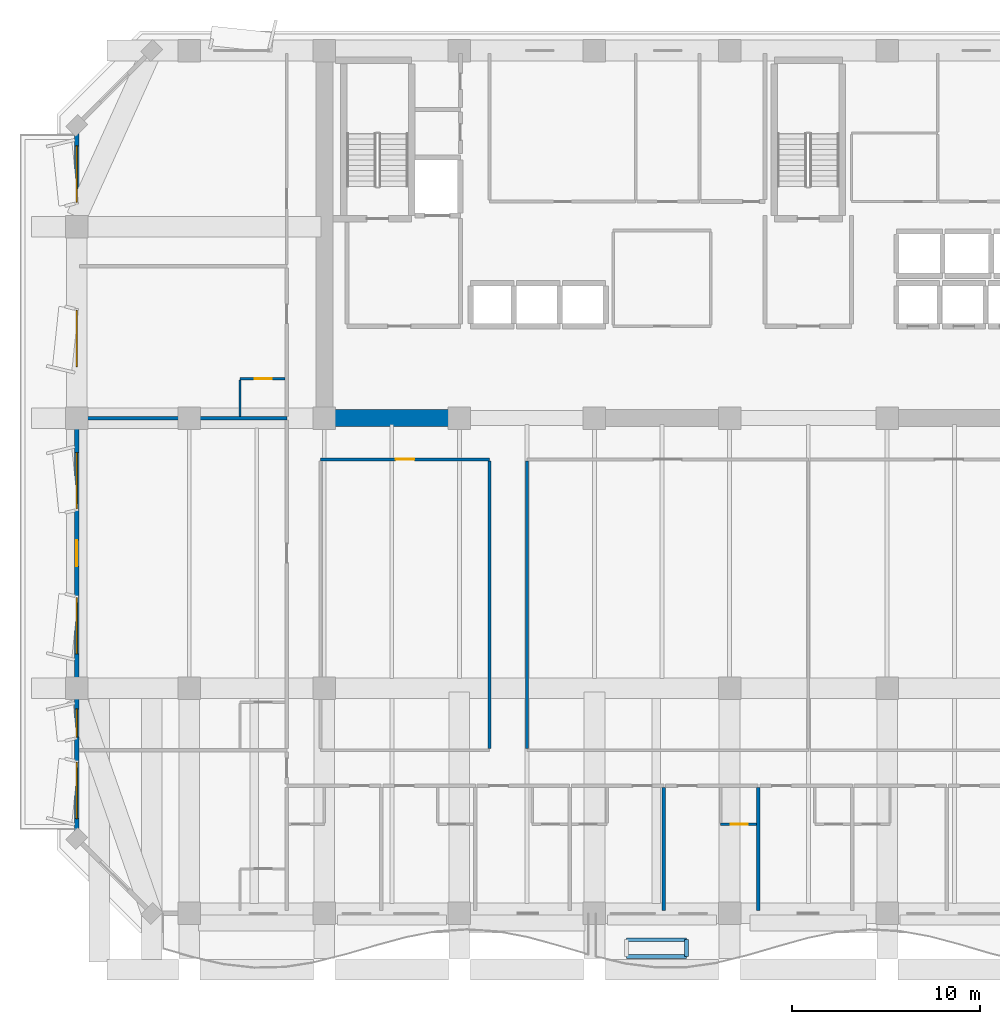
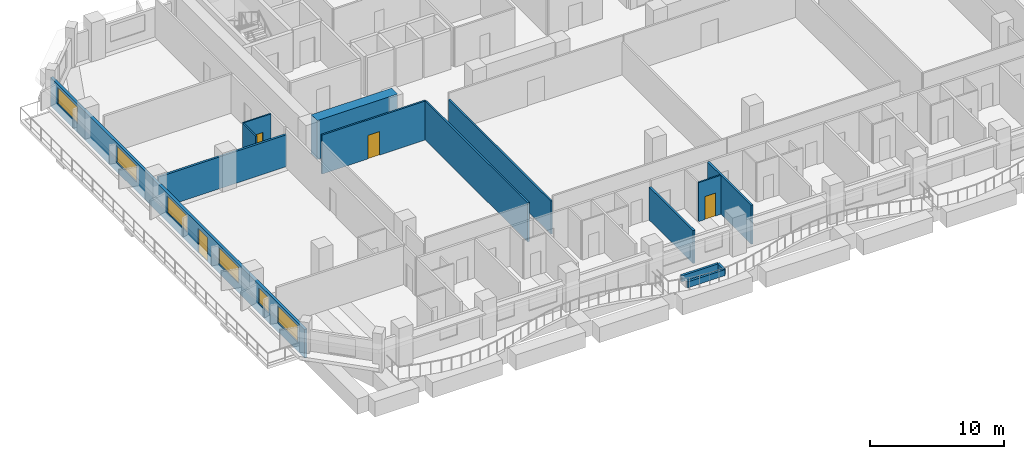
# One storey, part 5 of 16: 14 walls, 6 windows, 4 doors, 10 openings.
"""IFC4 building model written with IfcOpenShell, lengths in metres."""

import ifcopenshell
import ifcopenshell.guid

model = None  # the IFC model being written
_history = None  # IfcOwnerHistory: only IFC2X3 demands one
_inside = {}  # id of a spatial element -> (the spatial element, [elements in it])
_under = {}  # id of a project, library or spatial element -> (it, [spatial elements below it])
_declared = {}  # id of a project -> (the project, [libraries it declares])
_typed = {}  # id of a type object -> (the type object, [elements of that type])
_made_of = {}  # id of a material, layer set ... -> (it, [elements and type objects made of it])


def new_model(schema):
    """Start an empty IFC model of exactly this schema.

    Asked for "IFC4X3", IfcOpenShell would pick the latest addendum, in which some entities
    have other attributes; the version numbers below select the first issue.
    IFC2X3 requires an IfcOwnerHistory on every rooted entity: one is made here for all.
    """
    global model, _history
    if schema == "IFC4X3":
        model = ifcopenshell.file(schema_version=(4, 3, 0, 0))
    else:
        model = ifcopenshell.file(schema=schema)
    _inside.clear()
    _under.clear()
    _declared.clear()
    _typed.clear()
    _made_of.clear()
    _history = None
    if model.schema == "IFC2X3":
        org = make("IfcOrganization", Name="unknown")
        user = make(
            "IfcPersonAndOrganization",
            ThePerson=make("IfcPerson", FamilyName="unknown"),
            TheOrganization=org,
        )
        app = make(
            "IfcApplication",
            ApplicationDeveloper=org,
            Version="unknown",
            ApplicationFullName="unknown",
            ApplicationIdentifier="unknown",
        )
        _history = make(
            "IfcOwnerHistory",
            OwningUser=user,
            OwningApplication=app,
            ChangeAction="ADDED",
            CreationDate=0,
        )
    return model


def make(cls, **values):
    """One entity of the class cls with the attributes given. An attribute that is None is left unset."""
    return model.create_entity(
        cls, **{name: value for name, value in values.items() if value is not None}
    )


def rooted(cls, **values):
    """An entity with a GlobalId (a new one), such as an element, a storey or a relation."""
    return make(cls, GlobalId=ifcopenshell.guid.new(), OwnerHistory=_history, **values)


def si_unit(unit_type, name, prefix=None):
    """IfcSIUnit, for example si_unit("LENGTHUNIT", "METRE", prefix="MILLI")."""
    return make("IfcSIUnit", UnitType=unit_type, Prefix=prefix, Name=name)


def assignment(units):
    """IfcUnitAssignment: the units of a project."""
    return None if units is None else make("IfcUnitAssignment", Units=units)


def point(xyz):
    """IfcCartesianPoint."""
    return None if xyz is None else make("IfcCartesianPoint", Coordinates=xyz)


def direction(xyz):
    """IfcDirection."""
    return None if xyz is None else make("IfcDirection", DirectionRatios=xyz)


def frame(location, z_axis=None, x_axis=None):
    """IfcAxis2Placement3D, a coordinate frame: its origin and axes. An axis left out is left unset."""
    return make(
        "IfcAxis2Placement3D",
        Location=point(location),
        Axis=direction(z_axis),
        RefDirection=direction(x_axis),
    )


def frame_2d(location, x_axis=None):
    """IfcAxis2Placement2D, a coordinate frame in the plane: its origin and x axis."""
    return make(
        "IfcAxis2Placement2D", Location=point(location), RefDirection=direction(x_axis)
    )


def origin():
    """The frame at (0, 0, 0) with its axes left unset."""
    return frame((0.0, 0.0, 0.0))


def place(relative_to, where):
    """IfcLocalPlacement: puts the frame where relative to a parent placement (None: the world)."""
    return make(
        "IfcLocalPlacement", PlacementRelTo=relative_to, RelativePlacement=where
    )


def context(
    kind, dimensions, precision=None, world=None, true_north=None, identifier=None
):
    """IfcGeometricRepresentationContext, for example the 3D "Model" context."""
    return make(
        "IfcGeometricRepresentationContext",
        ContextIdentifier=identifier,
        ContextType=kind,
        CoordinateSpaceDimension=dimensions,
        Precision=precision,
        WorldCoordinateSystem=world,
        TrueNorth=true_north,
    )


def subcontext(parent, identifier, kind, view, scale=None):
    """IfcGeometricRepresentationSubContext, for example "Body" below "Model"."""
    return make(
        "IfcGeometricRepresentationSubContext",
        ContextIdentifier=identifier,
        ContextType=kind,
        ParentContext=parent,
        TargetScale=scale,
        TargetView=view,
    )


def project(units=None, contexts=None):
    """IfcProject with its units and contexts."""
    return rooted(
        "IfcProject",
        Name="project",
        RepresentationContexts=contexts,
        UnitsInContext=assignment(units),
    )


def spatial(cls, under=None, at=None, **own):
    """A site, building, storey or space (cls), placed at a placement, below another one or the project."""
    s = rooted(cls, ObjectPlacement=at, **own)
    if under is not None:
        _under.setdefault(under.id(), (under, []))[1].append(s)
    return s


def profile(cls, at=None, kind="AREA", **sizes):
    """A parametric profile (cls). Its sizes go by their IFC names, for example OverallWidth=200.0."""
    return make(cls, ProfileType=kind, Position=at, **sizes)


def rectangle(**sizes):
    """IfcRectangleProfileDef."""
    return profile("IfcRectangleProfileDef", **sizes)


def extrude(swept, where, along, depth):
    """IfcExtrudedAreaSolid: the profile swept, set in the frame where, extruded along a direction by depth."""
    return make(
        "IfcExtrudedAreaSolid",
        SweptArea=swept,
        Position=where,
        ExtrudedDirection=direction(along),
        Depth=depth,
    )


def shape(context_of_items, identifier, shape_type, items):
    """IfcShapeRepresentation: the items that make up one representation, for example the "Body"."""
    return make(
        "IfcShapeRepresentation",
        ContextOfItems=context_of_items,
        RepresentationIdentifier=identifier,
        RepresentationType=shape_type,
        Items=items,
    )


def material(Name=None, Category=None):
    """IfcMaterial."""
    return make("IfcMaterial", Name=Name, Category=Category)


def layer(
    of_material, thickness, ventilated=None, Name=None, Category=None, Priority=None
):
    """IfcMaterialLayer: one layer of a wall or slab, of a material (None: an air gap)."""
    return make(
        "IfcMaterialLayer",
        Material=of_material,
        LayerThickness=thickness,
        IsVentilated=ventilated,
        Name=Name,
        Category=Category,
        Priority=Priority,
    )


def layer_set(layers, Name=None):
    """IfcMaterialLayerSet."""
    return make("IfcMaterialLayerSet", MaterialLayers=layers, LayerSetName=Name)


def made_of(thing, what):
    """Note that an element or type object is made of a material, layer set ...; save() writes the relation."""
    if what is not None:
        _made_of.setdefault(what.id(), (what, []))[1].append(thing)
    return thing


def type_object(cls, material=None, **own):
    """A type object (cls), such as IfcWallType, which elements share."""
    return made_of(rooted(cls, **own), material)


def element(
    cls,
    number,
    at=None,
    inside=None,
    cuts=None,
    type_object=None,
    material=None,
    context=None,
    identifier="Body",
    shape_type=None,
    held_by="IfcProductDefinitionShape",
    body=None,
    shapes=None,
    **own,
):
    """One element of the class cls, such as IfcWall. Its Tag is "e" and its number.

    at: its placement. inside: the storey or other place that contains it. cuts: it is an
    opening in that element (IfcRelVoidsElement). A single representation is given by context,
    identifier, shape_type and body (its items); several are given by shapes. held_by: the class
    of the entity that holds the representations. save() writes the other relations.
    """
    e = rooted(cls, Tag="e%d" % number, ObjectPlacement=at, **own)
    if body is not None:
        shapes = [shape(context, identifier, shape_type, body)]
    if shapes is not None:
        e.Representation = make(held_by, Representations=shapes)
    if inside is not None:
        _inside.setdefault(inside.id(), (inside, []))[1].append(e)
    if cuts is not None:
        rooted(
            "IfcRelVoidsElement", RelatingBuildingElement=cuts, RelatedOpeningElement=e
        )
    if type_object is not None:
        _typed.setdefault(type_object.id(), (type_object, []))[1].append(e)
    return made_of(e, material)


def fill(opening, filler):
    """IfcRelFillsElement: the door or window that sits in an opening."""
    return rooted(
        "IfcRelFillsElement",
        RelatingOpeningElement=opening,
        RelatedBuildingElement=filler,
    )


def aggregate(whole, parts):
    """IfcRelAggregates: a whole, such as a stair, and the parts it consists of."""
    return rooted("IfcRelAggregates", RelatingObject=whole, RelatedObjects=parts)


def save(model, path):
    """Write the relations noted so far, then the file.

    IfcRelAggregates (storeys below a building ...), IfcRelContainedInSpatialStructure (elements
    in a storey), IfcRelDefinesByType, IfcRelAssociatesMaterial and IfcRelDeclares: one each for
    every whole, place, type object, material and project.
    """
    for whole, parts in _under.values():
        aggregate(whole, parts)
    for where, things in _inside.values():
        rooted(
            "IfcRelContainedInSpatialStructure",
            RelatedElements=things,
            RelatingStructure=where,
        )
    for kind, things in _typed.values():
        rooted("IfcRelDefinesByType", RelatedObjects=things, RelatingType=kind)
    for what, things in _made_of.values():
        rooted("IfcRelAssociatesMaterial", RelatedObjects=things, RelatingMaterial=what)
    for by, libraries in _declared.values():
        rooted("IfcRelDeclares", RelatingContext=by, RelatedDefinitions=libraries)
    model.write(path)


model = new_model("IFC4")

# Units and contexts
model_context = context("Model", 3, precision=1e-05, world=origin(), true_north=direction((0.0, 1.0)))
body_context = subcontext(model_context, "Body", "Model", "MODEL_VIEW")
ifc_project = project(units=[si_unit("LENGTHUNIT", "METRE"), si_unit("AREAUNIT", "SQUARE_METRE"), si_unit("VOLUMEUNIT", "CUBIC_METRE"), si_unit("PLANEANGLEUNIT", "RADIAN"), si_unit("MASSUNIT", "GRAM", prefix="KILO")], contexts=[model_context])

# Site, building, storey
site_placement = place(None, origin())
site = spatial("IfcSite", under=ifc_project, at=site_placement, CompositionType="ELEMENT")
building_placement = place(site_placement, origin())
building = spatial("IfcBuilding", under=site, at=building_placement, Name="Kaelvorn Grand Hotel", CompositionType="ELEMENT")
storey_placement = place(building_placement, frame((0.0, 0.0, 135.35009765625)))
storey = spatial("IfcBuildingStorey", under=building, at=storey_placement, Name="L32", CompositionType="ELEMENT", Elevation=135.35009765625)

# Wall
ifc_material_1 = material(Name="Concrete C60/75", Category="concrete")
ifc_layer_1 = layer(ifc_material_1, 0.89990234375)
ifc_layer_set_1 = layer_set([ifc_layer_1], Name="Concrete C60/75")
wall_type_1 = type_object("IfcWallType", Name="WL-CORE-900-C60", PredefinedType="SHEAR", material=ifc_layer_set_1)
wall_1_placement = place(storey_placement, frame((16.655029296875, 29.39990234375, 0.0), z_axis=(0.0, 0.0, 1.0), x_axis=(1.0, 0.0, 0.0)))
element("IfcWall", 1, at=wall_1_placement, inside=storey, type_object=wall_type_1, Name="L32 Rear-Core Coupled Shear Pier S1", PredefinedType="SHEAR", context=body_context, shape_type="SweptSolid", body=[
    extrude(rectangle(XDim=6.945068359375, YDim=0.89990234375, at=frame_2d((3.47265625, 0.0))), origin(), (0.0, 0.0, 1.0), 3.559814453125),
])

# Wall, openings, door, windows
ifc_material_2 = material(Name="Concrete C40/50", Category="concrete")
ifc_layer_2 = layer(ifc_material_2, 0.239990234375)
ifc_layer_set_2 = layer_set([ifc_layer_2], Name="Concrete C40/50")
wall_type_2 = type_object("IfcWallType", Name="WL-EXT-240-C40", PredefinedType="SOLIDWALL", material=ifc_layer_set_2)
wall_2_placement = place(storey_placement, frame((3.0, 45.0, 0.0), z_axis=(0.0, 0.0, 1.0), x_axis=(0.0, -1.0, 0.0)))
wall_2 = element("IfcWall", 2, at=wall_2_placement, inside=storey, type_object=wall_type_2, Name="L32 Exterior Architectural Concrete Wall 07", PredefinedType="SOLIDWALL", context=body_context, shape_type="SweptSolid", body=[
    extrude(rectangle(XDim=38.0, YDim=0.239990234375, at=frame_2d((19.0, 0.0))), origin(), (0.0, 0.0, 1.0), 2.60986328125),
])
opening_1_placement = place(wall_2_placement, frame((22.10009765625, 0.0, 0.0)))
opening_1 = element("IfcOpeningElement", 3, at=opening_1_placement, cuts=wall_2, Name="Opening DE3", PredefinedType="OPENING", context=body_context, shape_type="SweptSolid", body=[
    extrude(rectangle(XDim=1.39990234375, YDim=2.199951171875, at=frame_2d((0.699951171875, 1.10009765625))), frame((0.0, 0.1298828125, 0.0), z_axis=(0.0, -1.0, 0.0), x_axis=(1.0, 0.0, 0.0)), (0.0, 0.0, 1.0), 0.260009765625),
])
opening_2_placement = place(wall_2_placement, frame((33.949951171875, 0.0, 0.85009765625)))
opening_2 = element("IfcOpeningElement", 4, at=opening_2_placement, cuts=wall_2, Name="Opening W5", PredefinedType="OPENING", context=body_context, shape_type="SweptSolid", body=[
    extrude(rectangle(XDim=3.0, YDim=1.5, at=frame_2d((1.5, 0.75))), frame((0.0, 0.1298828125, 0.0), z_axis=(0.0, -1.0, 0.0), x_axis=(1.0, 0.0, 0.0)), (0.0, 0.0, 1.0), 0.260009765625),
])
opening_3_placement = place(wall_2_placement, frame((31.10009765625, 0.0, 0.85009765625)))
opening_3 = element("IfcOpeningElement", 5, at=opening_3_placement, cuts=wall_2, Name="Opening W10", PredefinedType="OPENING", context=body_context, shape_type="SweptSolid", body=[
    extrude(rectangle(XDim=1.5, YDim=1.39990234375, at=frame_2d((0.75, 0.699951171875))), frame((0.0, 0.1298828125, 0.0), z_axis=(0.0, -1.0, 0.0), x_axis=(1.0, 0.0, 0.0)), (0.0, 0.0, 1.0), 0.260009765625),
])
opening_4_placement = place(wall_2_placement, frame((25.159912109375, 0.0, 0.85009765625)))
opening_4 = element("IfcOpeningElement", 6, at=opening_4_placement, cuts=wall_2, Name="Opening W5", PredefinedType="OPENING", context=body_context, shape_type="SweptSolid", body=[
    extrude(rectangle(XDim=3.0, YDim=1.5, at=frame_2d((1.5, 0.75))), frame((0.0, 0.1298828125, 0.0), z_axis=(0.0, -1.0, 0.0), x_axis=(1.0, 0.0, 0.0)), (0.0, 0.0, 1.0), 0.260009765625),
])
opening_5_placement = place(wall_2_placement, frame((17.43994140625, 0.0, 0.85009765625)))
opening_5 = element("IfcOpeningElement", 7, at=opening_5_placement, cuts=wall_2, Name="Opening W5", PredefinedType="OPENING", context=body_context, shape_type="SweptSolid", body=[
    extrude(rectangle(XDim=3.0, YDim=1.5, at=frame_2d((1.5, 0.75))), frame((0.0, 0.1298828125, 0.0), z_axis=(0.0, -1.0, 0.0), x_axis=(1.0, 0.0, 0.0)), (0.0, 0.0, 1.0), 0.260009765625),
])
opening_6_placement = place(wall_2_placement, frame((9.85009765625, 0.0, 0.85009765625)))
opening_6 = element("IfcOpeningElement", 8, at=opening_6_placement, cuts=wall_2, Name="Opening W5", PredefinedType="OPENING", context=body_context, shape_type="SweptSolid", body=[
    extrude(rectangle(XDim=3.0, YDim=1.5, at=frame_2d((1.5, 0.75))), frame((0.0, 0.1298828125, 0.0), z_axis=(0.0, -1.0, 0.0), x_axis=(1.0, 0.0, 0.0)), (0.0, 0.0, 1.0), 0.260009765625),
])
opening_7_placement = place(wall_2_placement, frame((1.0849609375, 0.0, 0.85009765625)))
opening_7 = element("IfcOpeningElement", 9, at=opening_7_placement, cuts=wall_2, Name="Opening W5", PredefinedType="OPENING", context=body_context, shape_type="SweptSolid", body=[
    extrude(rectangle(XDim=3.0, YDim=1.5, at=frame_2d((1.5, 0.75))), frame((0.0, 0.1298828125, 0.0), z_axis=(0.0, -1.0, 0.0), x_axis=(1.0, 0.0, 0.0)), (0.0, 0.0, 1.0), 0.260009765625),
])
ifc_material_3 = material(Name="Anodised Aluminium", Category="aluminium")
door_type_1 = type_object("IfcDoorType", Name="DR-EXT-TERR-1400x2200", OperationType="NOTDEFINED", PredefinedType="DOOR", material=ifc_material_3)
door_1_placement = place(opening_1_placement, origin())
door_1 = element("IfcDoor", 10, at=door_1_placement, inside=storey, type_object=door_type_1, Name="L32 West Setback Terrace Step-Free Door DE3-W", OperationType="SINGLE_SWING_LEFT", OverallHeight=2.199951171875, OverallWidth=1.39990234375, PredefinedType="DOOR", context=body_context, shape_type="SweptSolid", body=[
    extrude(rectangle(XDim=1.39990234375, YDim=2.199951171875, at=frame_2d((0.699951171875, 1.10009765625))), frame((0.0, 0.02490234375, 0.0), z_axis=(0.0, -1.0, 0.0), x_axis=(1.0, 0.0, 0.0)), (0.0, 0.0, 1.0), 0.050048828125),
])
fill(opening_1, door_1)
ifc_material_4 = material(Name="Laminated Low-E Glass", Category="glass")
window_type_1 = type_object("IfcWindowType", Name="WIN-COR-1500x1400", PartitioningType="SINGLE_PANEL", PredefinedType="WINDOW", material=ifc_material_4)
window_1_placement = place(opening_3_placement, origin())
window_1 = element("IfcWindow", 11, at=window_1_placement, inside=storey, type_object=window_type_1, Name="L32 W Wing Tilted-Frame Ribbon Window W02", OverallHeight=1.39990234375, OverallWidth=1.5, PartitioningType="SINGLE_PANEL", PredefinedType="WINDOW", context=body_context, shape_type="SweptSolid", body=[
    extrude(rectangle(XDim=1.5, YDim=1.39990234375, at=frame_2d((0.75, 0.699951171875))), frame((0.0, 0.030029296875, 0.0), z_axis=(0.0, -1.0, 0.0), x_axis=(1.0, 0.0, 0.0)), (0.0, 0.0, 1.0), 0.06005859375),
])
fill(opening_3, window_1)
window_type_2 = type_object("IfcWindowType", Name="WIN-NTH-3000x1500", PartitioningType="SINGLE_PANEL", PredefinedType="WINDOW", material=ifc_material_4)
window_2_placement = place(opening_2_placement, origin())
window_2 = element("IfcWindow", 12, at=window_2_placement, inside=storey, type_object=window_type_2, Name="L32 W Wing Tilted-Frame Ribbon Window W01", OverallHeight=1.5, OverallWidth=3.0, PartitioningType="SINGLE_PANEL", PredefinedType="WINDOW", context=body_context, shape_type="SweptSolid", body=[
    extrude(rectangle(XDim=3.0, YDim=1.5, at=frame_2d((1.5, 0.75))), frame((0.0, 0.030029296875, 0.0), z_axis=(0.0, -1.0, 0.0), x_axis=(1.0, 0.0, 0.0)), (0.0, 0.0, 1.0), 0.06005859375),
])
fill(opening_2, window_2)
window_3_placement = place(opening_4_placement, origin())
window_3 = element("IfcWindow", 13, at=window_3_placement, inside=storey, type_object=window_type_2, Name="L32 W Wing Tilted-Frame Ribbon Window W03", OverallHeight=1.5, OverallWidth=3.0, PartitioningType="SINGLE_PANEL", PredefinedType="WINDOW", context=body_context, shape_type="SweptSolid", body=[
    extrude(rectangle(XDim=3.0, YDim=1.5, at=frame_2d((1.5, 0.75))), frame((0.0, 0.030029296875, 0.0), z_axis=(0.0, -1.0, 0.0), x_axis=(1.0, 0.0, 0.0)), (0.0, 0.0, 1.0), 0.06005859375),
])
fill(opening_4, window_3)
window_4_placement = place(opening_5_placement, origin())
window_4 = element("IfcWindow", 14, at=window_4_placement, inside=storey, type_object=window_type_2, Name="L32 W Wing Tilted-Frame Ribbon Window W04", OverallHeight=1.5, OverallWidth=3.0, PartitioningType="SINGLE_PANEL", PredefinedType="WINDOW", context=body_context, shape_type="SweptSolid", body=[
    extrude(rectangle(XDim=3.0, YDim=1.5, at=frame_2d((1.5, 0.75))), frame((0.0, 0.030029296875, 0.0), z_axis=(0.0, -1.0, 0.0), x_axis=(1.0, 0.0, 0.0)), (0.0, 0.0, 1.0), 0.06005859375),
])
fill(opening_5, window_4)
window_5_placement = place(opening_6_placement, origin())
window_5 = element("IfcWindow", 15, at=window_5_placement, inside=storey, type_object=window_type_2, Name="L32 W Wing Tilted-Frame Ribbon Window W05", OverallHeight=1.5, OverallWidth=3.0, PartitioningType="SINGLE_PANEL", PredefinedType="WINDOW", context=body_context, shape_type="SweptSolid", body=[
    extrude(rectangle(XDim=3.0, YDim=1.5, at=frame_2d((1.5, 0.75))), frame((0.0, 0.030029296875, 0.0), z_axis=(0.0, -1.0, 0.0), x_axis=(1.0, 0.0, 0.0)), (0.0, 0.0, 1.0), 0.06005859375),
])
fill(opening_6, window_5)
window_6_placement = place(opening_7_placement, origin())
window_6 = element("IfcWindow", 16, at=window_6_placement, inside=storey, type_object=window_type_2, Name="L32 W Wing Tilted-Frame Ribbon Window W06", OverallHeight=1.5, OverallWidth=3.0, PartitioningType="SINGLE_PANEL", PredefinedType="WINDOW", context=body_context, shape_type="SweptSolid", body=[
    extrude(rectangle(XDim=3.0, YDim=1.5, at=frame_2d((1.5, 0.75))), frame((0.0, 0.030029296875, 0.0), z_axis=(0.0, -1.0, 0.0), x_axis=(1.0, 0.0, 0.0)), (0.0, 0.0, 1.0), 0.06005859375),
])
fill(opening_7, window_6)

# Wall, opening, door
ifc_material_5 = material(Name="Moisture-Resistant Tile & Stud Board")
ifc_layer_3 = layer(ifc_material_5, 0.125)
ifc_layer_set_3 = layer_set([ifc_layer_3], Name="Moisture-Resistant Tile & Stud Board")
wall_type_3 = type_object("IfcWallType", Name="WL-PART-125-WET", PredefinedType="PARTITIONING", material=ifc_layer_set_3)
wall_3_placement = place(storey_placement, frame((37.326904296875, 7.75, 0.0), z_axis=(0.0, 0.0, 1.0), x_axis=(1.0, 0.0, 0.0)))
wall_3 = element("IfcWall", 17, at=wall_3_placement, inside=storey, type_object=wall_type_3, Name="L32 En-suite Bathroom L32-05 S Partition", PredefinedType="PARTITIONING", context=body_context, shape_type="SweptSolid", body=[
    extrude(rectangle(XDim=1.905029296875, YDim=0.125, at=frame_2d((0.95263671875, 0.0))), origin(), (0.0, 0.0, 1.0), 3.559814453125),
])
opening_8_placement = place(wall_3_placement, frame((0.550048828125, 0.0, 0.0)))
opening_8 = element("IfcOpeningElement", 18, at=opening_8_placement, cuts=wall_3, Name="Opening DI4", PredefinedType="OPENING", context=body_context, shape_type="SweptSolid", body=[
    extrude(rectangle(XDim=0.89990234375, YDim=2.10009765625, at=frame_2d((0.449951171875, 1.050048828125))), frame((0.0, 0.072509765625, 0.0), z_axis=(0.0, -1.0, 0.0), x_axis=(1.0, 0.0, 0.0)), (0.0, 0.0, 1.0), 0.14501953125),
])
ifc_material_6 = material(Name="Timber Veneer Leaf", Category="wood")
door_type_2 = type_object("IfcDoorType", Name="DR-INT-BATH-900x2100", OperationType="NOTDEFINED", PredefinedType="DOOR", material=ifc_material_6)
door_2_placement = place(opening_8_placement, origin())
door_2 = element("IfcDoor", 19, at=door_2_placement, inside=storey, type_object=door_type_2, Name="L32 En-suite Bathroom L32-05 Door", OperationType="SINGLE_SWING_RIGHT", OverallHeight=2.10009765625, OverallWidth=0.89990234375, PredefinedType="DOOR", context=body_context, shape_type="SweptSolid", body=[
    extrude(rectangle(XDim=0.89990234375, YDim=2.10009765625, at=frame_2d((0.449951171875, 1.050048828125))), frame((0.0, 0.02490234375, 0.0), z_axis=(0.0, -1.0, 0.0), x_axis=(1.0, 0.0, 0.0)), (0.0, 0.0, 1.0), 0.050048828125),
])
fill(opening_8, door_2)

wall_4_placement = place(storey_placement, frame((11.699951171875, 31.510009765625, 0.0), z_axis=(0.0, 0.0, 1.0), x_axis=(1.0, 0.0, 0.0)))
wall_4 = element("IfcWall", 20, at=wall_4_placement, inside=storey, type_object=wall_type_3, Name="L32 En-suite Bathroom L32-16 N Partition", PredefinedType="PARTITIONING", context=body_context, shape_type="SweptSolid", body=[
    extrude(rectangle(XDim=2.405029296875, YDim=0.125, at=frame_2d((1.20263671875, 0.0))), origin(), (0.0, 0.0, 1.0), 3.559814453125),
])
opening_9_placement = place(wall_4_placement, frame((0.800048828125, 0.0, 0.0)))
opening_9 = element("IfcOpeningElement", 21, at=opening_9_placement, cuts=wall_4, Name="Opening DI4", PredefinedType="OPENING", context=body_context, shape_type="SweptSolid", body=[
    extrude(rectangle(XDim=0.89990234375, YDim=2.10009765625, at=frame_2d((0.449951171875, 1.050048828125))), frame((0.0, 0.072509765625, 0.0), z_axis=(0.0, -1.0, 0.0), x_axis=(1.0, 0.0, 0.0)), (0.0, 0.0, 1.0), 0.14501953125),
])
door_3_placement = place(opening_9_placement, origin())
door_3 = element("IfcDoor", 22, at=door_3_placement, inside=storey, type_object=door_type_2, Name="L32 En-suite Bathroom L32-16 Door", OperationType="SINGLE_SWING_RIGHT", OverallHeight=2.10009765625, OverallWidth=0.89990234375, PredefinedType="DOOR", context=body_context, shape_type="SweptSolid", body=[
    extrude(rectangle(XDim=0.89990234375, YDim=2.10009765625, at=frame_2d((0.449951171875, 1.050048828125))), frame((0.0, 0.02490234375, 0.0), z_axis=(0.0, -1.0, 0.0), x_axis=(1.0, 0.0, 0.0)), (0.0, 0.0, 1.0), 0.050048828125),
])
fill(opening_9, door_3)

# Wall
wall_5_placement = place(storey_placement, frame((11.699951171875, 29.4951171875, 0.0), z_axis=(0.0, 0.0, 1.0), x_axis=(0.0, 1.0, 0.0)))
element("IfcWall", 23, at=wall_5_placement, inside=storey, type_object=wall_type_3, Name="L32 En-suite Bathroom L32-16 W Partition", PredefinedType="PARTITIONING", context=body_context, shape_type="SweptSolid", body=[
    extrude(rectangle(XDim=1.947265625, YDim=0.125, at=frame_2d((0.9736328125, 0.0))), origin(), (0.0, 0.0, 1.0), 3.559814453125),
])

# Wall, opening, door
ifc_material_7 = material(Name="Acoustic Gypsum & Stud Partition")
ifc_layer_4 = layer(ifc_material_7, 0.14990234375)
ifc_layer_set_4 = layer_set([ifc_layer_4], Name="Acoustic Gypsum & Stud Partition")
wall_type_4 = type_object("IfcWallType", Name="WL-PART-150-EI60", PredefinedType="PARTITIONING", material=ifc_layer_set_4)
wall_6_placement = place(storey_placement, frame((16.0, 27.199951171875, 0.0), z_axis=(0.0, 0.0, 1.0), x_axis=(1.0, 0.0, 0.0)))
wall_6 = element("IfcWall", 24, at=wall_6_placement, inside=storey, type_object=wall_type_4, Name="L32 Executive Meeting Boardroom N Partition", PredefinedType="PARTITIONING", context=body_context, shape_type="SweptSolid", body=[
    extrude(rectangle(XDim=9.0, YDim=0.14990234375, at=frame_2d((4.5, 0.0))), origin(), (0.0, 0.0, 1.0), 3.559814453125),
])
opening_10_placement = place(wall_6_placement, frame((4.0, 0.0, 0.0)))
opening_10 = element("IfcOpeningElement", 25, at=opening_10_placement, cuts=wall_6, Name="Opening DI3", PredefinedType="OPENING", context=body_context, shape_type="SweptSolid", body=[
    extrude(rectangle(XDim=1.0, YDim=2.14990234375, at=frame_2d((0.5, 1.074951171875))), frame((0.0, 0.0849609375, 0.0), z_axis=(0.0, -1.0, 0.0), x_axis=(1.0, 0.0, 0.0)), (0.0, 0.0, 1.0), 0.169921875),
])
ifc_material_8 = material(Name="Timber Veneer Fire Leaf", Category="wood")
door_type_3 = type_object("IfcDoorType", Name="DR-INT-GUEST-1000x2150", OperationType="NOTDEFINED", PredefinedType="DOOR", material=ifc_material_8)
door_4_placement = place(opening_10_placement, origin())
door_4 = element("IfcDoor", 26, at=door_4_placement, inside=storey, type_object=door_type_3, Name="L32 Executive Meeting Boardroom Door", OperationType="SINGLE_SWING_LEFT", OverallHeight=2.14990234375, OverallWidth=1.0, PredefinedType="DOOR", context=body_context, shape_type="SweptSolid", body=[
    extrude(rectangle(XDim=1.0, YDim=2.14990234375, at=frame_2d((0.5, 1.074951171875))), frame((0.0, 0.02490234375, 0.0), z_axis=(0.0, -1.0, 0.0), x_axis=(1.0, 0.0, 0.0)), (0.0, 0.0, 1.0), 0.050048828125),
])
fill(opening_10, door_4)

# Walls
wall_7_placement = place(storey_placement, frame((25.0, 11.780029296875, 0.0), z_axis=(0.0, 0.0, 1.0), x_axis=(0.0, 1.0, 0.0)))
element("IfcWall", 27, at=wall_7_placement, inside=storey, type_object=wall_type_4, Name="L32 Executive Meeting Boardroom E Partition", PredefinedType="PARTITIONING", context=body_context, shape_type="SweptSolid", body=[
    extrude(rectangle(XDim=15.340087890625, YDim=0.14990234375, at=frame_2d((7.669921875, 0.0))), origin(), (0.0, 0.0, 1.0), 3.559814453125),
])
wall_8_placement = place(storey_placement, frame((27.0, 11.780029296875, 0.0), z_axis=(0.0, 0.0, 1.0), x_axis=(0.0, 1.0, 0.0)))
element("IfcWall", 28, at=wall_8_placement, inside=storey, type_object=wall_type_4, Name="L32 Guest Butler Kitchen W Partition", PredefinedType="PARTITIONING", context=body_context, shape_type="SweptSolid", body=[
    extrude(rectangle(XDim=15.340087890625, YDim=0.14990234375, at=frame_2d((7.669921875, 0.0))), origin(), (0.0, 0.0, 1.0), 3.010009765625),
])
ifc_layer_5 = layer(ifc_material_7, 0.179931640625)
ifc_layer_set_5 = layer_set([ifc_layer_5], Name="Acoustic Gypsum & Stud Partition")
wall_type_5 = type_object("IfcWallType", Name="WL-PART-180-EI60", PredefinedType="PARTITIONING", material=ifc_layer_set_5)
wall_9_placement = place(storey_placement, frame((34.301513671875, 3.14990234375, 0.0), z_axis=(0.0, 0.0, 1.0), x_axis=(0.0, 1.0, 0.0)))
element("IfcWall", 29, at=wall_9_placement, inside=storey, type_object=wall_type_5, Name="L32 Superior King Guest Room L32-04 E Partition", PredefinedType="PARTITIONING", context=body_context, shape_type="SweptSolid", body=[
    extrude(rectangle(XDim=6.55517578125, YDim=0.179931640625, at=frame_2d((3.277587890625, 0.0))), origin(), (0.0, 0.0, 1.0), 3.010009765625),
])
wall_10_placement = place(storey_placement, frame((39.326904296875, 3.14990234375, 0.0), z_axis=(0.0, 0.0, 1.0), x_axis=(0.0, 1.0, 0.0)))
element("IfcWall", 30, at=wall_10_placement, inside=storey, type_object=wall_type_5, Name="L32 Superior King Guest Room L32-05 E Partition", PredefinedType="PARTITIONING", context=body_context, shape_type="SweptSolid", body=[
    extrude(rectangle(XDim=6.55517578125, YDim=0.179931640625, at=frame_2d((3.277587890625, 0.0))), origin(), (0.0, 0.0, 1.0), 3.559814453125),
])
wall_11_placement = place(storey_placement, frame((3.14990234375, 29.39990234375, 0.0), z_axis=(0.0, 0.0, 1.0), x_axis=(1.0, 0.0, 0.0)))
element("IfcWall", 31, at=wall_11_placement, inside=storey, type_object=wall_type_5, Name="L32 West End Panoramic Suite L32-13 N Partition", PredefinedType="PARTITIONING", context=body_context, shape_type="SweptSolid", body=[
    extrude(rectangle(XDim=11.050048828125, YDim=0.179931640625, at=frame_2d((5.52490234375, 0.0))), origin(), (0.0, 0.0, 1.0), 2.909912109375),
])
ifc_layer_6 = layer(ifc_material_2, 0.199951171875)
ifc_layer_set_6 = layer_set([ifc_layer_6], Name="Concrete C40/50")
wall_type_6 = type_object("IfcWallType", Name="WL-TREE-PLANTER-200", PredefinedType="PARAPET", material=ifc_layer_set_6)
wall_12_placement = place(storey_placement, frame((32.3046875, 0.699951171875, 0.0), z_axis=(0.0, 0.0, 1.0), x_axis=(1.0, 0.0, 0.0)))
element("IfcWall", 32, at=wall_12_placement, inside=storey, type_object=wall_type_6, Name="L32 Planted Balcony Structural TREE PLANTER Kerb 1-S", PredefinedType="PARAPET", context=body_context, shape_type="SweptSolid", body=[
    extrude(rectangle(XDim=3.2001953125, YDim=0.199951171875, at=frame_2d((1.60009765625, 0.0))), origin(), (0.0, 0.0, 1.0), 0.5498046875),
])
wall_13_placement = place(storey_placement, frame((35.5048828125, 0.699951171875, 0.0), z_axis=(0.0, 0.0, 1.0), x_axis=(0.0, 1.0, 0.0)))
element("IfcWall", 33, at=wall_13_placement, inside=storey, type_object=wall_type_6, Name="L32 Planted Balcony Structural TREE PLANTER Kerb 1-E", PredefinedType="PARAPET", context=body_context, shape_type="SweptSolid", body=[
    extrude(rectangle(XDim=0.900146484375, YDim=0.199951171875, at=frame_2d((0.4501953125, 0.0))), origin(), (0.0, 0.0, 1.0), 0.5498046875),
])
wall_14_placement = place(storey_placement, frame((35.5048828125, 1.60009765625, 0.0), z_axis=(0.0, 0.0, 1.0), x_axis=(-1.0, 0.0, 0.0)))
element("IfcWall", 34, at=wall_14_placement, inside=storey, type_object=wall_type_6, Name="L32 Planted Balcony Structural TREE PLANTER Kerb 1-N", PredefinedType="PARAPET", context=body_context, shape_type="SweptSolid", body=[
    extrude(rectangle(XDim=3.2001953125, YDim=0.199951171875, at=frame_2d((1.60009765625, 0.0))), origin(), (0.0, 0.0, 1.0), 0.5498046875),
])

save(model, "model.ifc")
